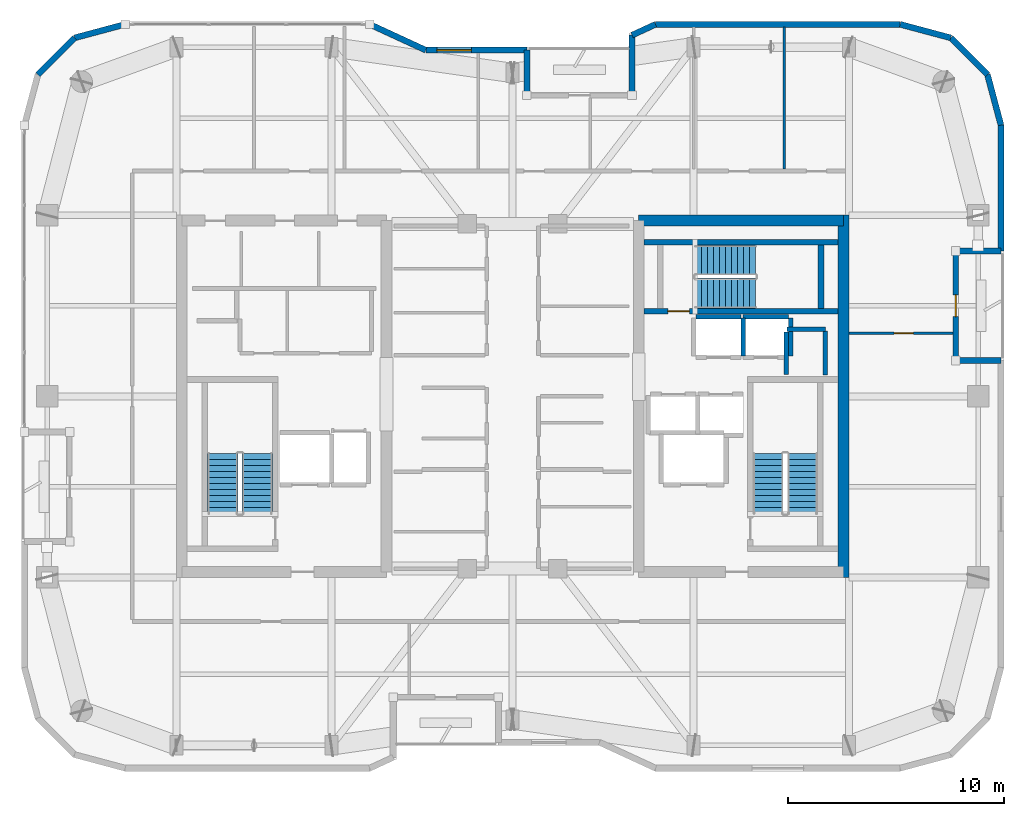
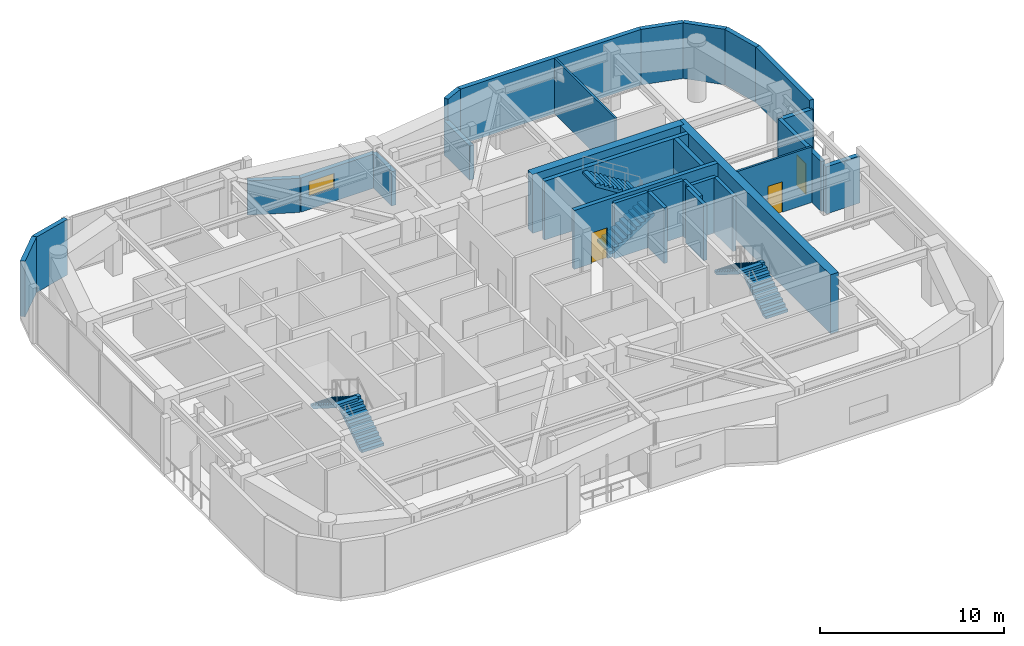
# One storey, part 13 of 15: 29 walls, 6 stair flights, 3 doors, 1 window, 4 openings, 3 elements without a shape of their own.
"""IFC4 building model written with IfcOpenShell, lengths in metres."""

from ifc_helpers import new_model, si_unit, direction, frame, frame_2d, origin, place, context, subcontext, project, spatial, polyline, rectangle, outline, extrude, material, layer, layer_set, type_object, element, fill, aggregate, save


model = new_model("IFC4")

# Units and contexts
model_context = context("Model", 3, precision=1e-05, world=origin(), true_north=direction((0.0, 1.0)))
body_context = subcontext(model_context, "Body", "Model", "MODEL_VIEW")
ifc_project = project(units=[si_unit("LENGTHUNIT", "METRE"), si_unit("AREAUNIT", "SQUARE_METRE"), si_unit("VOLUMEUNIT", "CUBIC_METRE"), si_unit("PLANEANGLEUNIT", "RADIAN"), si_unit("MASSUNIT", "GRAM", prefix="KILO")], contexts=[model_context])

# Site, building, storey
site_placement = place(None, origin())
site = spatial("IfcSite", under=ifc_project, at=site_placement, CompositionType="ELEMENT")
building_placement = place(site_placement, origin())
building = spatial("IfcBuilding", under=site, at=building_placement, Name="Kiyonajd Concourse Tower", CompositionType="ELEMENT")
storey_placement = place(building_placement, frame((0.0, 0.0, 274.5)))
storey = spatial("IfcBuildingStorey", under=building, at=storey_placement, Name="L69", CompositionType="ELEMENT", Elevation=274.5)

# Walls
ifc_material_1 = material(Name="Concrete C60/75", Category="concrete")
ifc_layer_1 = layer(ifc_material_1, 0.5)
ifc_layer_set_1 = layer_set([ifc_layer_1], Name="Concrete C60/75")
wall_type_1 = type_object("IfcWallType", Name="WL-CORE-500", PredefinedType="SHEAR", material=ifc_layer_set_1)
wall_1_placement = place(storey_placement, frame((63.35009765625, 27.60009765625, 0.0), z_axis=(0.0, 0.0, 1.0), x_axis=(0.0, 1.0, 0.0)))
element("IfcWall", 1, at=wall_1_placement, inside=storey, type_object=wall_type_1, Name="L69 East Core Outer Shear Wall", PredefinedType="SHEAR", context=body_context, shape_type="SweptSolid", body=[
    extrude(rectangle(XDim=16.7998046875, YDim=0.5, at=frame_2d((8.39990234375, 0.0))), origin(), (0.0, 0.0, 1.0), 3.89990234375),
])
wall_2_placement = place(storey_placement, frame((53.85009765625, 44.14990234375, 0.0), z_axis=(0.0, 0.0, 1.0), x_axis=(1.0, 0.0, 0.0)))
element("IfcWall", 2, at=wall_2_placement, inside=storey, type_object=wall_type_1, Name="L69 East Core North Shear Wall", PredefinedType="SHEAR", context=body_context, shape_type="SweptSolid", body=[
    extrude(rectangle(XDim=9.5, YDim=0.5, at=frame_2d((4.75, 0.0))), origin(), (0.0, 0.0, 1.0), 3.89990234375),
])
ifc_material_2 = material(Name="Precast concrete C50/60", Category="concrete")
ifc_layer_2 = layer(ifc_material_2, 0.280029296875)
ifc_layer_set_2 = layer_set([ifc_layer_2], Name="Precast concrete C50/60")
wall_type_2 = type_object("IfcWallType", Name="WL-EXT-280", PredefinedType="SOLIDWALL", material=ifc_layer_set_2)
wall_3_placement = place(storey_placement, frame((25.968505859375, 50.927490234375, 0.0), z_axis=(0.0, 0.0, 1.0), x_axis=(0.707106781187, 0.707106781187, 0.0)))
element("IfcWall", 3, at=wall_3_placement, inside=storey, type_object=wall_type_2, Name="L69 Exterior Concrete Frame Wall 07", PredefinedType="SOLIDWALL", context=body_context, shape_type="SweptSolid", body=[
    extrude(rectangle(XDim=2.409912109375, YDim=0.280029296875, at=frame_2d((1.205078125, 0.0))), origin(), (0.0, 0.0, 1.0), 3.679931640625),
])
wall_4_placement = place(storey_placement, frame((27.672607421875, 52.631591796875, 0.0), z_axis=(0.0, 0.0, 1.0), x_axis=(0.965937282298, 0.25877628691, 0.0)))
element("IfcWall", 4, at=wall_4_placement, inside=storey, type_object=wall_type_2, Name="L69 Exterior Concrete Frame Wall 08", PredefinedType="SOLIDWALL", context=body_context, shape_type="SweptSolid", body=[
    extrude(rectangle(XDim=2.428466796875, YDim=0.280029296875, at=frame_2d((1.21435546875, 0.0))), origin(), (0.0, 0.0, 1.0), 3.679931640625),
])
wall_5_placement = place(storey_placement, frame((41.369384765625, 53.260009765625, 0.0), z_axis=(0.0, 0.0, 1.0), x_axis=(0.907956889006, -0.419063584324, 0.0)))
element("IfcWall", 5, at=wall_5_placement, inside=storey, type_object=wall_type_2, Name="L69 Exterior Concrete Frame Wall 10", PredefinedType="SOLIDWALL", context=body_context, shape_type="SweptSolid", body=[
    extrude(rectangle(XDim=2.863525390625, YDim=0.280029296875, at=frame_2d((1.431640625, 0.0))), origin(), (0.0, 0.0, 1.0), 2.264892578125),
])

# Wall, opening, window
wall_6_placement = place(storey_placement, frame((43.96923828125, 52.06005859375, 0.0), z_axis=(0.0, 0.0, 1.0), x_axis=(1.0, 0.0, 0.0)))
wall_6 = element("IfcWall", 6, at=wall_6_placement, inside=storey, type_object=wall_type_2, Name="L69 Exterior Concrete Frame Wall 11", PredefinedType="SOLIDWALL", context=body_context, shape_type="SweptSolid", body=[
    extrude(rectangle(XDim=4.690673828125, YDim=0.280029296875, at=frame_2d((2.34521484375, 0.0))), origin(), (0.0, 0.0, 1.0), 2.264892578125),
])
opening_1_placement = place(wall_6_placement, frame((0.510009765625, 0.0, 0.85009765625)))
opening_1 = element("IfcOpeningElement", 7, at=opening_1_placement, cuts=wall_6, Name="Opening WN6", PredefinedType="OPENING", context=body_context, shape_type="SweptSolid", body=[
    extrude(rectangle(XDim=1.60009765625, YDim=1.0, at=frame_2d((0.800048828125, 0.5))), frame((0.0, 0.14990234375, 0.0), z_axis=(0.0, -1.0, 0.0), x_axis=(1.0, 0.0, 0.0)), (0.0, 0.0, 1.0), 0.300048828125),
])
ifc_material_3 = material(Name="Double Low-E Insulated Glass", Category="glass")
window_type = type_object("IfcWindowType", Name="WN-VIS-1600x1000", PartitioningType="SINGLE_PANEL", PredefinedType="WINDOW", material=ifc_material_3)
window_placement = place(opening_1_placement, origin())
window = element("IfcWindow", 8, at=window_placement, inside=storey, type_object=window_type, Name="L69 Modular Facade Vision Window 11", OverallHeight=1.0, OverallWidth=1.60009765625, PartitioningType="SINGLE_PANEL", PredefinedType="WINDOW", context=body_context, shape_type="SweptSolid", body=[
    extrude(rectangle(XDim=1.60009765625, YDim=1.0, at=frame_2d((0.800048828125, 0.5))), frame((0.0, 0.030029296875, 0.0), z_axis=(0.0, -1.0, 0.0), x_axis=(1.0, 0.0, 0.0)), (0.0, 0.0, 1.0), 0.06005859375),
])
fill(opening_1, window)

# Walls
wall_7_placement = place(storey_placement, frame((48.659912109375, 52.06005859375, 0.0), z_axis=(0.0, 0.0, 1.0), x_axis=(0.0, -1.0, 0.0)))
element("IfcWall", 9, at=wall_7_placement, inside=storey, type_object=wall_type_2, Name="L69 Exterior Concrete Frame Wall 12", PredefinedType="SOLIDWALL", context=body_context, shape_type="SweptSolid", body=[
    extrude(rectangle(XDim=2.10009765625, YDim=0.280029296875, at=frame_2d((1.050048828125, 0.0))), origin(), (0.0, 0.0, 1.0), 2.264892578125),
])
wall_8_placement = place(storey_placement, frame((53.5400390625, 49.9599609375, 0.0), z_axis=(0.0, 0.0, 1.0), x_axis=(0.0, 1.0, 0.0)))
element("IfcWall", 10, at=wall_8_placement, inside=storey, type_object=wall_type_2, Name="L69 Exterior Concrete Frame Wall 14", PredefinedType="SOLIDWALL", context=body_context, shape_type="SweptSolid", body=[
    extrude(rectangle(XDim=2.79638671875, YDim=0.280029296875, at=frame_2d((1.398193359375, 0.0))), origin(), (0.0, 0.0, 1.0), 2.264892578125),
])
wall_9_placement = place(storey_placement, frame((53.5400390625, 52.75634765625, 0.0), z_axis=(0.0, 0.0, 1.0), x_axis=(0.907893953211, 0.419199916176, 0.0)))
element("IfcWall", 11, at=wall_9_placement, inside=storey, type_object=wall_type_2, Name="L69 Exterior Concrete Frame Wall 15", PredefinedType="SOLIDWALL", context=body_context, shape_type="SweptSolid", body=[
    extrude(rectangle(XDim=1.201416015625, YDim=0.280029296875, at=frame_2d((0.6005859375, 0.0))), origin(), (0.0, 0.0, 1.0), 3.679931640625),
])
wall_10_placement = place(storey_placement, frame((54.630859375, 53.260009765625, 0.0), z_axis=(0.0, 0.0, 1.0), x_axis=(1.0, 0.0, 0.0)))
element("IfcWall", 12, at=wall_10_placement, inside=storey, type_object=wall_type_2, Name="L69 Exterior Concrete Frame Wall 16", PredefinedType="SOLIDWALL", context=body_context, shape_type="SweptSolid", body=[
    extrude(rectangle(XDim=11.350830078125, YDim=0.280029296875, at=frame_2d((5.67529296875, 0.0))), origin(), (0.0, 0.0, 1.0), 3.679931640625),
])
wall_11_placement = place(storey_placement, frame((65.981689453125, 53.260009765625, 0.0), z_axis=(0.0, 0.0, 1.0), x_axis=(0.965937282298, -0.25877628691, 0.0)))
element("IfcWall", 13, at=wall_11_placement, inside=storey, type_object=wall_type_2, Name="L69 Exterior Concrete Frame Wall 17", PredefinedType="SOLIDWALL", context=body_context, shape_type="SweptSolid", body=[
    extrude(rectangle(XDim=2.428466796875, YDim=0.280029296875, at=frame_2d((1.21435546875, 0.0))), origin(), (0.0, 0.0, 1.0), 3.679931640625),
])
wall_12_placement = place(storey_placement, frame((68.327392578125, 52.631591796875, 0.0), z_axis=(0.0, 0.0, 1.0), x_axis=(0.707106781187, -0.707106781187, 0.0)))
element("IfcWall", 14, at=wall_12_placement, inside=storey, type_object=wall_type_2, Name="L69 Exterior Concrete Frame Wall 18", PredefinedType="SOLIDWALL", context=body_context, shape_type="SweptSolid", body=[
    extrude(rectangle(XDim=2.409912109375, YDim=0.280029296875, at=frame_2d((1.205078125, 0.0))), origin(), (0.0, 0.0, 1.0), 3.679931640625),
])
wall_13_placement = place(storey_placement, frame((70.031494140625, 50.927490234375, 0.0), z_axis=(0.0, 0.0, 1.0), x_axis=(0.258751159445, -0.965944013639, 0.0)))
element("IfcWall", 15, at=wall_13_placement, inside=storey, type_object=wall_type_2, Name="L69 Exterior Concrete Frame Wall 19", PredefinedType="SOLIDWALL", context=body_context, shape_type="SweptSolid", body=[
    extrude(rectangle(XDim=2.4287109375, YDim=0.280029296875, at=frame_2d((1.21435546875, 0.0))), origin(), (0.0, 0.0, 1.0), 3.679931640625),
])
wall_14_placement = place(storey_placement, frame((70.659912109375, 48.58154296875, 0.0), z_axis=(0.0, 0.0, 1.0), x_axis=(0.0, -1.0, 0.0)))
element("IfcWall", 16, at=wall_14_placement, inside=storey, type_object=wall_type_2, Name="L69 Exterior Concrete Frame Wall 20", PredefinedType="SOLIDWALL", context=body_context, shape_type="SweptSolid", body=[
    extrude(rectangle(XDim=5.841552734375, YDim=0.280029296875, at=frame_2d((2.9208984375, 0.0))), origin(), (0.0, 0.0, 1.0), 3.679931640625),
])
for number, where, z_axis, x_axis, name in (
    (17, (70.659912109375, 42.739990234375, 0.0), (0.0, 0.0, 1.0), (-1.0, 0.0, 0.0), "L69 Exterior Concrete Frame Wall 21"),
    (18, (68.56005859375, 37.659912109375, 0.0), (0.0, 0.0, 1.0), (1.0, 0.0, 0.0), "L69 Exterior Concrete Frame Wall 23"),
):
    element("IfcWall", number, at=place(storey_placement, frame(where, z_axis=z_axis, x_axis=x_axis)), inside=storey, type_object=wall_type_2, Name=name, PredefinedType="SOLIDWALL", context=body_context, shape_type="SweptSolid", body=[
        extrude(rectangle(XDim=2.099853515625, YDim=0.280029296875, at=frame_2d((1.0498046875, 0.0))), origin(), (0.0, 0.0, 1.0), 3.1259765625),
    ])

# Wall, opening, door
ifc_layer_3 = layer(ifc_material_2, 0.239990234375)
ifc_layer_set_3 = layer_set([ifc_layer_3], Name="Precast concrete C50/60")
wall_type_3 = type_object("IfcWallType", Name="WL-LOG-240", PredefinedType="SOLIDWALL", material=ifc_layer_set_3)
wall_15_placement = place(storey_placement, frame((68.56005859375, 42.544921875, 0.0), z_axis=(0.0, 0.0, 1.0), x_axis=(0.0, -1.0, 0.0)))
wall_15 = element("IfcWall", 19, at=wall_15_placement, inside=storey, type_object=wall_type_3, Name="L69 Recessed Loggia Thermal Wall LOG-E", PredefinedType="SOLIDWALL", context=body_context, shape_type="SweptSolid", body=[
    extrude(rectangle(XDim=4.68994140625, YDim=0.239990234375, at=frame_2d((2.344970703125, 0.0))), origin(), (0.0, 0.0, 1.0), 3.31103515625),
])
opening_2_placement = place(wall_15_placement, frame((1.844970703125, 0.0, 0.0)))
opening_2 = element("IfcOpeningElement", 20, at=opening_2_placement, cuts=wall_15, Name="Opening DL1", PredefinedType="OPENING", context=body_context, shape_type="SweptSolid", body=[
    extrude(rectangle(XDim=1.0, YDim=2.02001953125, at=frame_2d((0.5, 1.010009765625))), frame((0.0, 0.1298828125, 0.0), z_axis=(0.0, -1.0, 0.0), x_axis=(1.0, 0.0, 0.0)), (0.0, 0.0, 1.0), 0.260009765625),
])
ifc_material_4 = material(Name="Thermally Broken Anodised Aluminium", Category="aluminium")
door_type_1 = type_object("IfcDoorType", Name="DR-LOG-1000", OperationType="NOTDEFINED", PredefinedType="DOOR", material=ifc_material_4)
door_1_placement = place(opening_2_placement, origin())
door_1 = element("IfcDoor", 21, at=door_1_placement, inside=storey, type_object=door_type_1, Name="L69 Engawa Loggia Access Door LOG-E", OperationType="SINGLE_SWING_LEFT", OverallHeight=2.02001953125, OverallWidth=1.0, PredefinedType="DOOR", context=body_context, shape_type="SweptSolid", body=[
    extrude(rectangle(XDim=1.0, YDim=2.02001953125, at=frame_2d((0.5, 1.010009765625))), frame((0.0, 0.02490234375, 0.0), z_axis=(0.0, -1.0, 0.0), x_axis=(1.0, 0.0, 0.0)), (0.0, 0.0, 1.0), 0.050048828125),
])
fill(opening_2, door_1)

# Wall
ifc_material_5 = material(Name="Gypsum Board on Cold-Formed Steel Stud", Category="steel")
ifc_layer_4 = layer(ifc_material_5, 0.125)
ifc_layer_set_4 = layer_set([ifc_layer_4], Name="Gypsum Board on Cold-Formed Steel Stud")
wall_type_4 = type_object("IfcWallType", Name="WL-PART-125", PredefinedType="PARTITIONING", material=ifc_layer_set_4)
wall_16_placement = place(storey_placement, frame((60.60009765625, 46.537109375, 0.0), z_axis=(0.0, 0.0, 1.0), x_axis=(0.0, 1.0, 0.0)))
element("IfcWall", 22, at=wall_16_placement, inside=storey, type_object=wall_type_4, Name="L69 Interior Partition Wall", PredefinedType="PARTITIONING", context=body_context, shape_type="SweptSolid", body=[
    extrude(rectangle(XDim=6.587890625, YDim=0.125, at=frame_2d((3.2939453125, 0.0))), origin(), (0.0, 0.0, 1.0), 3.679931640625),
])

# Wall, opening, door
wall_17_placement = place(storey_placement, frame((63.60009765625, 38.929931640625, 0.0), z_axis=(0.0, 0.0, 1.0), x_axis=(1.0, 0.0, 0.0)))
wall_17 = element("IfcWall", 23, at=wall_17_placement, inside=storey, type_object=wall_type_4, Name="L69 Interior Partition Wall", PredefinedType="PARTITIONING", context=body_context, shape_type="SweptSolid", body=[
    extrude(rectangle(XDim=4.844970703125, YDim=0.125, at=frame_2d((2.42236328125, 0.0))), origin(), (0.0, 0.0, 1.0), 3.679931640625),
])
opening_3_placement = place(wall_17_placement, frame((2.10009765625, 0.0, 0.0)))
opening_3 = element("IfcOpeningElement", 24, at=opening_3_placement, cuts=wall_17, Name="Opening DI2", PredefinedType="OPENING", context=body_context, shape_type="SweptSolid", body=[
    extrude(rectangle(XDim=0.89990234375, YDim=2.02001953125, at=frame_2d((0.449951171875, 1.010009765625))), frame((0.0, 0.072509765625, 0.0), z_axis=(0.0, -1.0, 0.0), x_axis=(1.0, 0.0, 0.0)), (0.0, 0.0, 1.0), 0.14501953125),
])
ifc_material_6 = material(Name="Natural Oak Acoustic Timber Veneer", Category="wood")
door_type_2 = type_object("IfcDoorType", Name="DR-INT-900", OperationType="NOTDEFINED", PredefinedType="DOOR", material=ifc_material_6)
door_2_placement = place(opening_3_placement, origin())
door_2 = element("IfcDoor", 25, at=door_2_placement, inside=storey, type_object=door_type_2, Name="L69 Interior Door", OperationType="SINGLE_SWING_RIGHT", OverallHeight=2.02001953125, OverallWidth=0.89990234375, PredefinedType="DOOR", context=body_context, shape_type="SweptSolid", body=[
    extrude(rectangle(XDim=0.89990234375, YDim=2.02001953125, at=frame_2d((0.449951171875, 1.010009765625))), frame((0.0, 0.02490234375, 0.0), z_axis=(0.0, -1.0, 0.0), x_axis=(1.0, 0.0, 0.0)), (0.0, 0.0, 1.0), 0.050048828125),
])
fill(opening_3, door_2)

# Walls
ifc_layer_5 = layer(ifc_material_5, 0.2099609375)
ifc_layer_set_5 = layer_set([ifc_layer_5], Name="Gypsum Board on Cold-Formed Steel Stud")
wall_type_5 = type_object("IfcWallType", Name="WL-SHAFT-210", PredefinedType="PARTITIONING", material=ifc_layer_set_5)
wall_18_placement = place(storey_placement, frame((60.719970703125, 39.10009765625, 0.0), z_axis=(0.0, 0.0, 1.0), x_axis=(1.0, 0.0, 0.0)))
element("IfcWall", 26, at=wall_18_placement, inside=storey, type_object=wall_type_5, Name="L69 Shaft Enclosure Wall", PredefinedType="PARTITIONING", context=body_context, shape_type="SweptSolid", body=[
    extrude(rectangle(XDim=1.800048828125, YDim=0.2099609375, at=frame_2d((0.89990234375, 0.0))), origin(), (0.0, 0.0, 1.0), 3.679931640625),
])
wall_19_placement = place(storey_placement, frame((60.699951171875, 37.02001953125, 0.0), z_axis=(0.0, 0.0, 1.0), x_axis=(0.0, 1.0, 0.0)))
element("IfcWall", 27, at=wall_19_placement, inside=storey, type_object=wall_type_5, Name="L69 Shaft Enclosure Wall", PredefinedType="PARTITIONING", context=body_context, shape_type="SweptSolid", body=[
    extrude(rectangle(XDim=1.9599609375, YDim=0.2099609375, at=frame_2d((0.97998046875, 0.0))), origin(), (0.0, 0.0, 1.0), 3.679931640625),
])
wall_20_placement = place(storey_placement, frame((62.5, 36.97998046875, 0.0), z_axis=(0.0, 0.0, 1.0), x_axis=(0.0, 1.0, 0.0)))
element("IfcWall", 28, at=wall_20_placement, inside=storey, type_object=wall_type_5, Name="L69 Shaft Enclosure Wall", PredefinedType="PARTITIONING", context=body_context, shape_type="SweptSolid", body=[
    extrude(rectangle(XDim=2.0400390625, YDim=0.2099609375, at=frame_2d((1.02001953125, 0.0))), origin(), (0.0, 0.0, 1.0), 3.679931640625),
])
wall_21_placement = place(storey_placement, frame((56.5, 39.699951171875, 0.0), z_axis=(0.0, 0.0, 1.0), x_axis=(1.0, 0.0, 0.0)))
element("IfcWall", 29, at=wall_21_placement, inside=storey, type_object=wall_type_5, Name="L69 Shaft Enclosure Wall", PredefinedType="PARTITIONING", context=body_context, shape_type="SweptSolid", body=[
    extrude(rectangle(XDim=2.10009765625, YDim=0.2099609375, at=frame_2d((1.050048828125, 0.0))), origin(), (0.0, 0.0, 1.0), 3.679931640625),
])
wall_22_placement = place(storey_placement, frame((58.699951171875, 37.860107421875, 0.0), z_axis=(0.0, 0.0, 1.0), x_axis=(0.0, 1.0, 0.0)))
element("IfcWall", 30, at=wall_22_placement, inside=storey, type_object=wall_type_5, Name="L69 Shaft Enclosure Wall", PredefinedType="PARTITIONING", context=body_context, shape_type="SweptSolid", body=[
    extrude(rectangle(XDim=1.77978515625, YDim=0.2099609375, at=frame_2d((0.889892578125, 0.0))), origin(), (0.0, 0.0, 1.0), 3.679931640625),
])
wall_23_placement = place(storey_placement, frame((58.699951171875, 39.699951171875, 0.0), z_axis=(0.0, 0.0, 1.0), x_axis=(1.0, 0.0, 0.0)))
element("IfcWall", 31, at=wall_23_placement, inside=storey, type_object=wall_type_5, Name="L69 Shaft Enclosure Wall", PredefinedType="PARTITIONING", context=body_context, shape_type="SweptSolid", body=[
    extrude(rectangle(XDim=2.10009765625, YDim=0.2099609375, at=frame_2d((1.050048828125, 0.0))), origin(), (0.0, 0.0, 1.0), 3.679931640625),
])
wall_24_placement = place(storey_placement, frame((60.89990234375, 37.860107421875, 0.0), z_axis=(0.0, 0.0, 1.0), x_axis=(0.0, 1.0, 0.0)))
element("IfcWall", 32, at=wall_24_placement, inside=storey, type_object=wall_type_5, Name="L69 Shaft Enclosure Wall", PredefinedType="PARTITIONING", context=body_context, shape_type="SweptSolid", body=[
    extrude(rectangle(XDim=1.77978515625, YDim=0.2099609375, at=frame_2d((0.889892578125, 0.0))), origin(), (0.0, 0.0, 1.0), 3.679931640625),
])

# Wall, opening, door
ifc_material_7 = material(Name="Concrete C50/60", Category="concrete")
ifc_layer_6 = layer(ifc_material_7, 0.260009765625)
ifc_layer_set_6 = layer_set([ifc_layer_6], Name="Concrete C50/60")
wall_type_6 = type_object("IfcWallType", Name="WL-STAIR-260", PredefinedType="SHEAR", material=ifc_layer_set_6)
wall_25_placement = place(storey_placement, frame((54.10009765625, 39.949951171875, 0.0), z_axis=(0.0, 0.0, 1.0), x_axis=(1.0, 0.0, 0.0)))
wall_25 = element("IfcWall", 33, at=wall_25_placement, inside=storey, type_object=wall_type_6, Name="L69 Stair ST3 Structural South Wall", PredefinedType="SHEAR", context=body_context, shape_type="SweptSolid", body=[
    extrude(rectangle(XDim=9.0, YDim=0.260009765625, at=frame_2d((4.5, 0.0))), origin(), (0.0, 0.0, 1.0), 3.89990234375),
])
opening_4_placement = place(wall_25_placement, frame((1.10009765625, 0.0, 0.0)))
opening_4 = element("IfcOpeningElement", 34, at=opening_4_placement, cuts=wall_25, Name="Opening DF1", PredefinedType="OPENING", context=body_context, shape_type="SweptSolid", body=[
    extrude(rectangle(XDim=1.0, YDim=2.0400390625, at=frame_2d((0.5, 1.02001953125))), frame((0.0, 0.139892578125, 0.0), z_axis=(0.0, -1.0, 0.0), x_axis=(1.0, 0.0, 0.0)), (0.0, 0.0, 1.0), 0.280029296875),
])
ifc_material_8 = material(Name="Brushed Stainless Steel Cab Assembly", Category="steel")
door_type_3 = type_object("IfcDoorType", Name="DR-FD90-1000", OperationType="NOTDEFINED", PredefinedType="DOOR", material=ifc_material_8)
door_3_placement = place(opening_4_placement, origin())
door_3 = element("IfcDoor", 35, at=door_3_placement, inside=storey, type_object=door_type_3, Name="L69 Stair ST3 Enclosure Door", OperationType="SINGLE_SWING_LEFT", OverallHeight=2.0400390625, OverallWidth=1.0, PredefinedType="DOOR", context=body_context, shape_type="SweptSolid", body=[
    extrude(rectangle(XDim=1.0, YDim=2.0400390625, at=frame_2d((0.5, 1.02001953125))), frame((0.0, 0.02490234375, 0.0), z_axis=(0.0, -1.0, 0.0), x_axis=(1.0, 0.0, 0.0)), (0.0, 0.0, 1.0), 0.050048828125),
])
fill(opening_4, door_3)

# Walls
wall_26_placement = place(storey_placement, frame((54.10009765625, 43.14990234375, 0.0), z_axis=(0.0, 0.0, 1.0), x_axis=(1.0, 0.0, 0.0)))
element("IfcWall", 36, at=wall_26_placement, inside=storey, type_object=wall_type_6, Name="L69 Stair ST3 Structural North Wall", PredefinedType="SHEAR", context=body_context, shape_type="SweptSolid", body=[
    extrude(rectangle(XDim=9.0, YDim=0.260009765625, at=frame_2d((4.5, 0.0))), origin(), (0.0, 0.0, 1.0), 3.89990234375),
])
wall_27_placement = place(storey_placement, frame((62.31005859375, 40.080078125, 0.0), z_axis=(0.0, 0.0, 1.0), x_axis=(0.0, 1.0, 0.0)))
element("IfcWall", 37, at=wall_27_placement, inside=storey, type_object=wall_type_6, Name="L69 Stair ST3 Structural East Wall", PredefinedType="SHEAR", context=body_context, shape_type="SweptSolid", body=[
    extrude(rectangle(XDim=2.93994140625, YDim=0.260009765625, at=frame_2d((1.469970703125, 0.0))), origin(), (0.0, 0.0, 1.0), 3.89990234375),
])

# Stair, stair flights
ifc_material_9 = material(Name="Concrete C40/50", Category="concrete")
stair_type = type_object("IfcStairType", Name="ST-DLG-22R", PredefinedType="HALF_TURN_STAIR", material=ifc_material_9)
stair_1_placement = place(storey_placement, origin())
stair_1 = element("IfcStair", 38, at=stair_1_placement, inside=storey, type_object=stair_type, Name="L69 Protected Exit Stair ST1", PredefinedType="HALF_TURN_STAIR")
stair_flight_type = type_object("IfcStairFlightType", Name="SF-STR-22R", PredefinedType="STRAIGHT", material=ifc_material_9)
stair_flight_1_placement = place(storey_placement, frame((36.14990234375, 30.550048828125, 0.0), z_axis=(0.0, 0.0, 1.0), x_axis=(0.0, 1.0, 0.0)))
stair_flight_1 = element("IfcStairFlight", 39, at=stair_flight_1_placement, type_object=stair_flight_type, Name="ST1 flight 1", NumberOfRisers=11, NumberOfTreads=10, PredefinedType="STRAIGHT", RiserHeight=0.177272727, TreadLength=0.28, context=body_context, shape_type="SweptSolid", body=[
    extrude(outline(polyline([(0.0, 0.0), (0.0, 0.17724609375), (0.280029296875, 0.17724609375), (0.280029296875, 0.3544921875), (0.56005859375, 0.3544921875), (0.56005859375, 0.53173828125), (0.840087890625, 0.53173828125), (0.840087890625, 0.708984375), (1.1201171875, 0.708984375), (1.1201171875, 0.886474609375), (1.39990234375, 0.886474609375), (1.39990234375, 1.063720703125), (1.679931640625, 1.063720703125), (1.679931640625, 1.240966796875), (1.9599609375, 1.240966796875), (1.9599609375, 1.418212890625), (2.239990234375, 1.418212890625), (2.239990234375, 1.595458984375), (2.52001953125, 1.595458984375), (2.52001953125, 1.772705078125), (2.800048828125, 1.772705078125), (2.800048828125, 1.949951171875), (2.800048828125, 1.59521484375), (0.2802734375, 0.0), (0.0, 0.0)])), frame((0.0, 0.699951171875, 0.0), z_axis=(0.0, -1.0, 0.0), x_axis=(1.0, 0.0, 0.0)), (0.0, 0.0, 1.0), 1.39990234375),
])
stair_flight_2_placement = place(storey_placement, frame((34.550048828125, 33.35009765625, 1.949951171875), z_axis=(0.0, 0.0, 1.0), x_axis=(0.0, -1.0, 0.0)))
stair_flight_2 = element("IfcStairFlight", 40, at=stair_flight_2_placement, type_object=stair_flight_type, Name="ST1 flight 2", NumberOfRisers=11, NumberOfTreads=10, PredefinedType="STRAIGHT", RiserHeight=0.177272727, TreadLength=0.28, context=body_context, shape_type="SweptSolid", body=[
    extrude(outline(polyline([(0.0, 0.0), (0.0, 0.17724609375), (0.280029296875, 0.17724609375), (0.280029296875, 0.3544921875), (0.56005859375, 0.3544921875), (0.56005859375, 0.53173828125), (0.840087890625, 0.53173828125), (0.840087890625, 0.708984375), (1.1201171875, 0.708984375), (1.1201171875, 0.886474609375), (1.39990234375, 0.886474609375), (1.39990234375, 1.063720703125), (1.679931640625, 1.063720703125), (1.679931640625, 1.240966796875), (1.9599609375, 1.240966796875), (1.9599609375, 1.418212890625), (2.239990234375, 1.418212890625), (2.239990234375, 1.595458984375), (2.52001953125, 1.595458984375), (2.52001953125, 1.772705078125), (2.800048828125, 1.772705078125), (2.800048828125, 1.949951171875), (2.800048828125, 1.59521484375), (0.2802734375, 0.0), (0.0, 0.0)])), frame((0.0, 0.699951171875, 0.0), z_axis=(0.0, -1.0, 0.0), x_axis=(1.0, 0.0, 0.0)), (0.0, 0.0, 1.0), 1.39990234375),
])
aggregate(stair_1, [stair_flight_1, stair_flight_2])

stair_2_placement = place(storey_placement, origin())
stair_2 = element("IfcStair", 41, at=stair_2_placement, inside=storey, type_object=stair_type, Name="L69 Protected Exit Stair ST2", PredefinedType="HALF_TURN_STAIR")
stair_flight_3_placement = place(storey_placement, frame((61.449951171875, 30.550048828125, 0.0), z_axis=(0.0, 0.0, 1.0), x_axis=(0.0, 1.0, 0.0)))
stair_flight_3 = element("IfcStairFlight", 42, at=stair_flight_3_placement, type_object=stair_flight_type, Name="ST2 flight 1", NumberOfRisers=11, NumberOfTreads=10, PredefinedType="STRAIGHT", RiserHeight=0.177272727, TreadLength=0.28, context=body_context, shape_type="SweptSolid", body=[
    extrude(outline(polyline([(0.0, 0.0), (0.0, 0.17724609375), (0.280029296875, 0.17724609375), (0.280029296875, 0.3544921875), (0.56005859375, 0.3544921875), (0.56005859375, 0.53173828125), (0.840087890625, 0.53173828125), (0.840087890625, 0.708984375), (1.1201171875, 0.708984375), (1.1201171875, 0.886474609375), (1.39990234375, 0.886474609375), (1.39990234375, 1.063720703125), (1.679931640625, 1.063720703125), (1.679931640625, 1.240966796875), (1.9599609375, 1.240966796875), (1.9599609375, 1.418212890625), (2.239990234375, 1.418212890625), (2.239990234375, 1.595458984375), (2.52001953125, 1.595458984375), (2.52001953125, 1.772705078125), (2.800048828125, 1.772705078125), (2.800048828125, 1.949951171875), (2.800048828125, 1.59521484375), (0.2802734375, 0.0), (0.0, 0.0)])), frame((0.0, 0.699951171875, 0.0), z_axis=(0.0, -1.0, 0.0), x_axis=(1.0, 0.0, 0.0)), (0.0, 0.0, 1.0), 1.39990234375),
])
stair_flight_4_placement = place(storey_placement, frame((59.85009765625, 33.35009765625, 1.949951171875), z_axis=(0.0, 0.0, 1.0), x_axis=(0.0, -1.0, 0.0)))
stair_flight_4 = element("IfcStairFlight", 43, at=stair_flight_4_placement, type_object=stair_flight_type, Name="ST2 flight 2", NumberOfRisers=11, NumberOfTreads=10, PredefinedType="STRAIGHT", RiserHeight=0.177272727, TreadLength=0.28, context=body_context, shape_type="SweptSolid", body=[
    extrude(outline(polyline([(0.0, 0.0), (0.0, 0.17724609375), (0.280029296875, 0.17724609375), (0.280029296875, 0.3544921875), (0.56005859375, 0.3544921875), (0.56005859375, 0.53173828125), (0.840087890625, 0.53173828125), (0.840087890625, 0.708984375), (1.1201171875, 0.708984375), (1.1201171875, 0.886474609375), (1.39990234375, 0.886474609375), (1.39990234375, 1.063720703125), (1.679931640625, 1.063720703125), (1.679931640625, 1.240966796875), (1.9599609375, 1.240966796875), (1.9599609375, 1.418212890625), (2.239990234375, 1.418212890625), (2.239990234375, 1.595458984375), (2.52001953125, 1.595458984375), (2.52001953125, 1.772705078125), (2.800048828125, 1.772705078125), (2.800048828125, 1.949951171875), (2.800048828125, 1.59521484375), (0.2802734375, 0.0), (0.0, 0.0)])), frame((0.0, 0.699951171875, 0.0), z_axis=(0.0, -1.0, 0.0), x_axis=(1.0, 0.0, 0.0)), (0.0, 0.0, 1.0), 1.39990234375),
])
aggregate(stair_2, [stair_flight_3, stair_flight_4])

stair_3_placement = place(storey_placement, origin())
stair_3 = element("IfcStair", 44, at=stair_3_placement, inside=storey, type_object=stair_type, Name="L69 Protected Exit Stair ST3", PredefinedType="HALF_TURN_STAIR")
stair_flight_5_placement = place(storey_placement, frame((56.47998046875, 40.780029296875, 0.0), z_axis=(0.0, 0.0, 1.0), x_axis=(1.0, 0.0, 0.0)))
stair_flight_5 = element("IfcStairFlight", 45, at=stair_flight_5_placement, type_object=stair_flight_type, Name="ST3 flight 1", NumberOfRisers=11, NumberOfTreads=10, PredefinedType="STRAIGHT", RiserHeight=0.177272727, TreadLength=0.28, context=body_context, shape_type="SweptSolid", body=[
    extrude(outline(polyline([(0.0, 0.0), (0.0, 0.17724609375), (0.280029296875, 0.17724609375), (0.280029296875, 0.3544921875), (0.56005859375, 0.3544921875), (0.56005859375, 0.53173828125), (0.840087890625, 0.53173828125), (0.840087890625, 0.708984375), (1.1201171875, 0.708984375), (1.1201171875, 0.886474609375), (1.39990234375, 0.886474609375), (1.39990234375, 1.063720703125), (1.679931640625, 1.063720703125), (1.679931640625, 1.240966796875), (1.9599609375, 1.240966796875), (1.9599609375, 1.418212890625), (2.239990234375, 1.418212890625), (2.239990234375, 1.595458984375), (2.52001953125, 1.595458984375), (2.52001953125, 1.772705078125), (2.800048828125, 1.772705078125), (2.800048828125, 1.949951171875), (2.800048828125, 1.59521484375), (0.2802734375, 0.0), (0.0, 0.0)])), frame((0.0, 0.699951171875, 0.0), z_axis=(0.0, -1.0, 0.0), x_axis=(1.0, 0.0, 0.0)), (0.0, 0.0, 1.0), 1.39990234375),
])
stair_flight_6_placement = place(storey_placement, frame((59.280029296875, 42.320068359375, 1.949951171875), z_axis=(0.0, 0.0, 1.0), x_axis=(-1.0, 0.0, 0.0)))
stair_flight_6 = element("IfcStairFlight", 46, at=stair_flight_6_placement, type_object=stair_flight_type, Name="ST3 flight 2", NumberOfRisers=11, NumberOfTreads=10, PredefinedType="STRAIGHT", RiserHeight=0.177272727, TreadLength=0.28, context=body_context, shape_type="SweptSolid", body=[
    extrude(outline(polyline([(0.0, 0.0), (0.0, 0.17724609375), (0.280029296875, 0.17724609375), (0.280029296875, 0.3544921875), (0.56005859375, 0.3544921875), (0.56005859375, 0.53173828125), (0.840087890625, 0.53173828125), (0.840087890625, 0.708984375), (1.1201171875, 0.708984375), (1.1201171875, 0.886474609375), (1.39990234375, 0.886474609375), (1.39990234375, 1.063720703125), (1.679931640625, 1.063720703125), (1.679931640625, 1.240966796875), (1.9599609375, 1.240966796875), (1.9599609375, 1.418212890625), (2.239990234375, 1.418212890625), (2.239990234375, 1.595458984375), (2.52001953125, 1.595458984375), (2.52001953125, 1.772705078125), (2.800048828125, 1.772705078125), (2.800048828125, 1.949951171875), (2.800048828125, 1.59521484375), (0.2802734375, 0.0), (0.0, 0.0)])), frame((0.0, 0.699951171875, 0.0), z_axis=(0.0, -1.0, 0.0), x_axis=(1.0, 0.0, 0.0)), (0.0, 0.0, 1.0), 1.39990234375),
])
aggregate(stair_3, [stair_flight_5, stair_flight_6])

save(model, "model.ifc")
